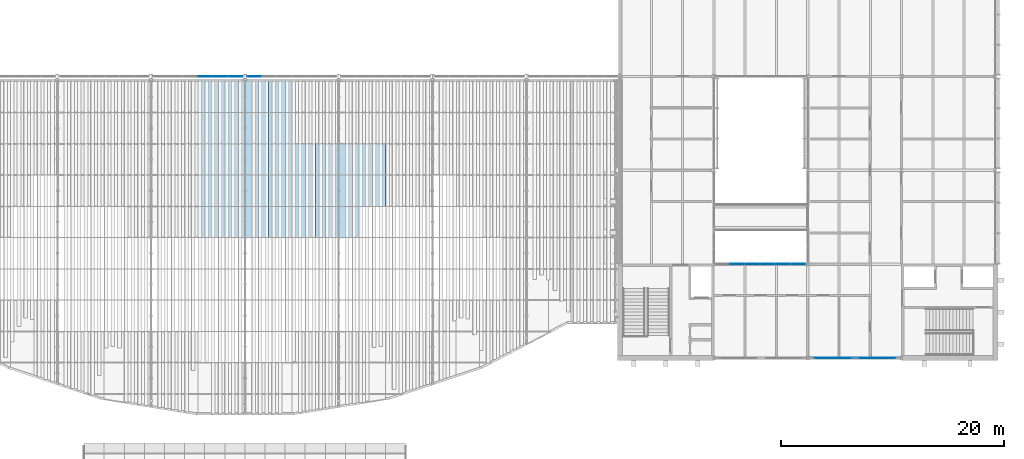
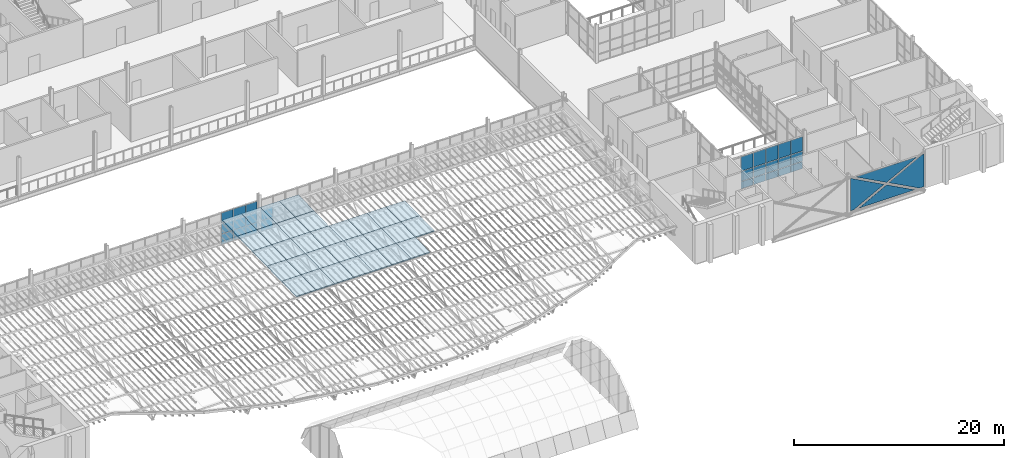
# One storey, part 72 of 129: 61 plates, 4 elements without a shape of their own.
"""IFC4 building model written with IfcOpenShell, lengths in metres."""

from ifc_helpers import new_model, si_unit, direction, frame, origin, origin_2d, place, context, subcontext, project, spatial, polyline, rectangle, outline, extrude, material, layer, layer_set, type_object, element, aggregate, save


model = new_model("IFC4")

# Units and contexts
model_context = context("Model", 3, precision=1e-05, world=origin(), true_north=direction((0.0, 1.0)))
body_context = subcontext(model_context, "Body", "Model", "MODEL_VIEW")
ifc_project = project(units=[si_unit("LENGTHUNIT", "METRE"), si_unit("AREAUNIT", "SQUARE_METRE"), si_unit("VOLUMEUNIT", "CUBIC_METRE"), si_unit("PLANEANGLEUNIT", "RADIAN"), si_unit("MASSUNIT", "GRAM", prefix="KILO")], contexts=[model_context])

# Site, building, storey
site_placement = place(None, origin())
site = spatial("IfcSite", under=ifc_project, at=site_placement, CompositionType="ELEMENT")
building_placement = place(site_placement, origin())
building = spatial("IfcBuilding", under=site, at=building_placement, Name="Ardhachandra Cancer Care Centre", CompositionType="ELEMENT")
storey_placement = place(building_placement, frame((0.0, 0.0, 4.5)))
storey = spatial("IfcBuildingStorey", under=building, at=storey_placement, Name="L01", CompositionType="ELEMENT", Elevation=4.5)

# Plates
ifc_material_1 = material(Name="Glass, laminated low-e insulating unit", Category="glass")
ifc_layer_1 = layer(ifc_material_1, 0.1201171875)
ifc_layer_set_1 = layer_set([ifc_layer_1], Name="Glass, laminated low-e insulating unit")
plate_type_1 = type_object("IfcPlateType", Name="Court glass cassette 120", PredefinedType="SHEET", material=ifc_layer_set_1)
plate_1_placement = place(storey_placement, frame((75.89990234375, 51.375, 3.007568359375), z_axis=(0.0, -0.019934189218, 0.999801294308), x_axis=(-1.0, 0.0, 0.0)))
element("IfcPlate", 1, at=plate_1_placement, inside=storey, type_object=plate_type_1, Name="Court glass cassette 4-1-3", PredefinedType="SHEET", context=body_context, shape_type="SweptSolid", body=[
    extrude(outline(polyline([(0.0, -3.00048828125), (2.099853515625, -3.00048828125), (2.099853515625, 0.0), (0.0, 0.0), (0.0, -3.00048828125)])), frame((0.0, 0.0, -0.1201171875)), (0.0, 0.0, 1.0), 0.1201171875),
])
plate_2_placement = place(storey_placement, frame((78.0, 51.375, 3.007568359375), z_axis=(0.0, -0.019934189218, 0.999801294308), x_axis=(-1.0, 0.0, 0.0)))
element("IfcPlate", 2, at=plate_2_placement, inside=storey, type_object=plate_type_1, Name="Court glass cassette 4-1-4", PredefinedType="SHEET", context=body_context, shape_type="SweptSolid", body=[
    extrude(outline(polyline([(0.0, -3.00048828125), (2.10009765625, -3.00048828125), (2.10009765625, 0.0), (0.0, 0.0), (0.0, -3.00048828125)])), frame((0.0, 0.0, -0.1201171875)), (0.0, 0.0, 1.0), 0.1201171875),
])
plate_3_placement = place(storey_placement, frame((73.800048828125, 48.574951171875, 2.951416015625), z_axis=(0.0, -0.02005002746, 0.999798977995), x_axis=(0.0, 0.999798977995, 0.02005002746)))
element("IfcPlate", 3, at=plate_3_placement, inside=storey, type_object=plate_type_1, Name="Court glass cassette 4-2-3", PredefinedType="SHEET", context=body_context, shape_type="SweptSolid", body=[
    extrude(outline(polyline([(0.0, -2.099853515625), (2.800537109375, -2.099853515625), (2.800537109375, 0.0), (0.0, 0.0), (0.0, -2.099853515625)])), frame((0.0, 0.0, -0.1201171875)), (0.0, 0.0, 1.0), 0.1201171875),
])
plate_4_placement = place(storey_placement, frame((75.89990234375, 48.574951171875, 2.951416015625), z_axis=(0.0, -0.02005002746, 0.999798977995), x_axis=(0.0, 0.999798977995, 0.02005002746)))
element("IfcPlate", 4, at=plate_4_placement, inside=storey, type_object=plate_type_1, Name="Court glass cassette 4-2-4", PredefinedType="SHEET", context=body_context, shape_type="SweptSolid", body=[
    extrude(outline(polyline([(0.0, -2.10009765625), (2.800537109375, -2.10009765625), (2.800537109375, 0.0), (0.0, 0.0), (0.0, -2.10009765625)])), frame((0.0, 0.0, -0.1201171875)), (0.0, 0.0, 1.0), 0.1201171875),
])
plate_5_placement = place(storey_placement, frame((73.800048828125, 45.77490234375, 2.8955078125), z_axis=(0.0, -0.019962888244, 0.999800721691), x_axis=(0.0, 0.999800721691, 0.019962888244)))
element("IfcPlate", 5, at=plate_5_placement, inside=storey, type_object=plate_type_1, Name="Court glass cassette 4-3-3", PredefinedType="SHEET", context=body_context, shape_type="SweptSolid", body=[
    extrude(outline(polyline([(0.0, -2.099853515625), (2.800537109375, -2.099853515625), (2.800537109375, 0.0), (0.0, 0.0), (0.0, -2.099853515625)])), frame((0.0, 0.0, -0.1201171875)), (0.0, 0.0, 1.0), 0.1201171875),
])
plate_6_placement = place(storey_placement, frame((75.89990234375, 45.77490234375, 2.8955078125), z_axis=(0.0, -0.019962888244, 0.999800721691), x_axis=(0.0, 0.999800721691, 0.019962888244)))
element("IfcPlate", 6, at=plate_6_placement, inside=storey, type_object=plate_type_1, Name="Court glass cassette 4-3-4", PredefinedType="SHEET", context=body_context, shape_type="SweptSolid", body=[
    extrude(outline(polyline([(0.0, -2.10009765625), (2.800537109375, -2.10009765625), (2.800537109375, 0.0), (0.0, 0.0), (0.0, -2.10009765625)])), frame((0.0, 0.0, -0.1201171875)), (0.0, 0.0, 1.0), 0.1201171875),
])
plate_7_placement = place(storey_placement, frame((73.800048828125, 42.97509765625, 2.839599609375), z_axis=(0.0, -0.019964628297, 0.999800686946), x_axis=(0.0, 0.999800686946, 0.019964628297)))
element("IfcPlate", 7, at=plate_7_placement, inside=storey, type_object=plate_type_1, Name="Court glass cassette 4-4-3", PredefinedType="SHEET", context=body_context, shape_type="SweptSolid", body=[
    extrude(outline(polyline([(0.0, -2.099853515625), (2.80029296875, -2.099853515625), (2.80029296875, 0.0), (0.0, 0.0), (0.0, -2.099853515625)])), frame((0.0, 0.0, -0.1201171875)), (0.0, 0.0, 1.0), 0.1201171875),
])
plate_8_placement = place(storey_placement, frame((75.89990234375, 42.97509765625, 2.839599609375), z_axis=(0.0, -0.019964628297, 0.999800686946), x_axis=(0.0, 0.999800686946, 0.019964628297)))
element("IfcPlate", 8, at=plate_8_placement, inside=storey, type_object=plate_type_1, Name="Court glass cassette 4-4-4", PredefinedType="SHEET", context=body_context, shape_type="SweptSolid", body=[
    extrude(outline(polyline([(0.0, -2.10009765625), (2.80029296875, -2.10009765625), (2.80029296875, 0.0), (0.0, 0.0), (0.0, -2.10009765625)])), frame((0.0, 0.0, -0.1201171875)), (0.0, 0.0, 1.0), 0.1201171875),
])
plate_9_placement = place(storey_placement, frame((73.800048828125, 40.175048828125, 2.783447265625), z_axis=(0.0, -0.02005002746, 0.999798977995), x_axis=(0.0, 0.999798977995, 0.02005002746)))
element("IfcPlate", 9, at=plate_9_placement, inside=storey, type_object=plate_type_1, Name="Court glass cassette 4-5-3", PredefinedType="SHEET", context=body_context, shape_type="SweptSolid", body=[
    extrude(outline(polyline([(0.0, -2.099853515625), (2.800537109375, -2.099853515625), (2.800537109375, 0.0), (0.0, 0.0), (0.0, -2.099853515625)])), frame((0.0, 0.0, -0.1201171875)), (0.0, 0.0, 1.0), 0.1201171875),
])
plate_10_placement = place(storey_placement, frame((75.89990234375, 40.175048828125, 2.783447265625), z_axis=(0.0, -0.02005002746, 0.999798977995), x_axis=(0.0, 0.999798977995, 0.02005002746)))
element("IfcPlate", 10, at=plate_10_placement, inside=storey, type_object=plate_type_1, Name="Court glass cassette 4-5-4", PredefinedType="SHEET", context=body_context, shape_type="SweptSolid", body=[
    extrude(outline(polyline([(0.0, -2.10009765625), (2.800537109375, -2.10009765625), (2.800537109375, 0.0), (0.0, 0.0), (0.0, -2.10009765625)])), frame((0.0, 0.0, -0.1201171875)), (0.0, 0.0, 1.0), 0.1201171875),
])
plate_11_placement = place(storey_placement, frame((80.10009765625, 51.375, 3.007568359375), z_axis=(0.0, -0.019934189218, 0.999801294308), x_axis=(-1.0, 0.0, 0.0)))
element("IfcPlate", 11, at=plate_11_placement, inside=storey, type_object=plate_type_1, Name="Court glass cassette 5-1-1", PredefinedType="SHEET", context=body_context, shape_type="SweptSolid", body=[
    extrude(outline(polyline([(0.0, -3.00048828125), (2.10009765625, -3.00048828125), (2.10009765625, 0.0), (0.0, 0.0), (0.0, -3.00048828125)])), frame((0.0, 0.0, -0.1201171875)), (0.0, 0.0, 1.0), 0.1201171875),
])
plate_12_placement = place(storey_placement, frame((82.199951171875, 51.375, 3.007568359375), z_axis=(0.0, -0.019934189218, 0.999801294308), x_axis=(-1.0, 0.0, 0.0)))
element("IfcPlate", 12, at=plate_12_placement, inside=storey, type_object=plate_type_1, Name="Court glass cassette 5-1-2", PredefinedType="SHEET", context=body_context, shape_type="SweptSolid", body=[
    extrude(outline(polyline([(0.0, -3.00048828125), (2.099853515625, -3.00048828125), (2.099853515625, 0.0), (0.0, 0.0), (0.0, -3.00048828125)])), frame((0.0, 0.0, -0.1201171875)), (0.0, 0.0, 1.0), 0.1201171875),
])
plate_13_placement = place(storey_placement, frame((78.0, 48.574951171875, 2.951416015625), z_axis=(0.0, -0.02005002746, 0.999798977995), x_axis=(0.0, 0.999798977995, 0.02005002746)))
element("IfcPlate", 13, at=plate_13_placement, inside=storey, type_object=plate_type_1, Name="Court glass cassette 5-2-1", PredefinedType="SHEET", context=body_context, shape_type="SweptSolid", body=[
    extrude(outline(polyline([(0.0, -2.10009765625), (2.800537109375, -2.10009765625), (2.800537109375, 0.0), (0.0, 0.0), (0.0, -2.10009765625)])), frame((0.0, 0.0, -0.1201171875)), (0.0, 0.0, 1.0), 0.1201171875),
])
plate_14_placement = place(storey_placement, frame((80.10009765625, 48.574951171875, 2.951416015625), z_axis=(0.0, -0.02005002746, 0.999798977995), x_axis=(0.0, 0.999798977995, 0.02005002746)))
element("IfcPlate", 14, at=plate_14_placement, inside=storey, type_object=plate_type_1, Name="Court glass cassette 5-2-2", PredefinedType="SHEET", context=body_context, shape_type="SweptSolid", body=[
    extrude(outline(polyline([(0.0, -2.099853515625), (2.800537109375, -2.099853515625), (2.800537109375, 0.0), (0.0, 0.0), (0.0, -2.099853515625)])), frame((0.0, 0.0, -0.1201171875)), (0.0, 0.0, 1.0), 0.1201171875),
])
plate_15_placement = place(storey_placement, frame((78.0, 45.77490234375, 2.8955078125), z_axis=(0.0, -0.019962888244, 0.999800721691), x_axis=(0.0, 0.999800721691, 0.019962888244)))
element("IfcPlate", 15, at=plate_15_placement, inside=storey, type_object=plate_type_1, Name="Court glass cassette 5-3-1", PredefinedType="SHEET", context=body_context, shape_type="SweptSolid", body=[
    extrude(outline(polyline([(0.0, -2.10009765625), (2.800537109375, -2.10009765625), (2.800537109375, 0.0), (0.0, 0.0), (0.0, -2.10009765625)])), frame((0.0, 0.0, -0.1201171875)), (0.0, 0.0, 1.0), 0.1201171875),
])
plate_16_placement = place(storey_placement, frame((80.10009765625, 45.77490234375, 2.8955078125), z_axis=(0.0, -0.019962888244, 0.999800721691), x_axis=(0.0, 0.999800721691, 0.019962888244)))
element("IfcPlate", 16, at=plate_16_placement, inside=storey, type_object=plate_type_1, Name="Court glass cassette 5-3-2", PredefinedType="SHEET", context=body_context, shape_type="SweptSolid", body=[
    extrude(outline(polyline([(0.0, -2.099853515625), (2.800537109375, -2.099853515625), (2.800537109375, 0.0), (0.0, 0.0), (0.0, -2.099853515625)])), frame((0.0, 0.0, -0.1201171875)), (0.0, 0.0, 1.0), 0.1201171875),
])
plate_17_placement = place(storey_placement, frame((82.199951171875, 45.77490234375, 2.8955078125), z_axis=(0.0, -0.019962888244, 0.999800721691), x_axis=(0.0, 0.999800721691, 0.019962888244)))
element("IfcPlate", 17, at=plate_17_placement, inside=storey, type_object=plate_type_1, Name="Court glass cassette 5-3-3", PredefinedType="SHEET", context=body_context, shape_type="SweptSolid", body=[
    extrude(outline(polyline([(0.0, -2.10009765625), (2.800537109375, -2.10009765625), (2.800537109375, 0.0), (0.0, 0.0), (0.0, -2.10009765625)])), frame((0.0, 0.0, -0.1201171875)), (0.0, 0.0, 1.0), 0.1201171875),
])
plate_18_placement = place(storey_placement, frame((84.300048828125, 45.77490234375, 2.8955078125), z_axis=(0.0, -0.019962888244, 0.999800721691), x_axis=(0.0, 0.999800721691, 0.019962888244)))
element("IfcPlate", 18, at=plate_18_placement, inside=storey, type_object=plate_type_1, Name="Court glass cassette 5-3-4", PredefinedType="SHEET", context=body_context, shape_type="SweptSolid", body=[
    extrude(outline(polyline([(0.0, -2.099853515625), (2.800537109375, -2.099853515625), (2.800537109375, 0.0), (0.0, 0.0), (0.0, -2.099853515625)])), frame((0.0, 0.0, -0.1201171875)), (0.0, 0.0, 1.0), 0.1201171875),
])
plate_19_placement = place(storey_placement, frame((78.0, 42.97509765625, 2.839599609375), z_axis=(0.0, -0.019964628297, 0.999800686946), x_axis=(0.0, 0.999800686946, 0.019964628297)))
element("IfcPlate", 19, at=plate_19_placement, inside=storey, type_object=plate_type_1, Name="Court glass cassette 5-4-1", PredefinedType="SHEET", context=body_context, shape_type="SweptSolid", body=[
    extrude(outline(polyline([(0.0, -2.10009765625), (2.80029296875, -2.10009765625), (2.80029296875, 0.0), (0.0, 0.0), (0.0, -2.10009765625)])), frame((0.0, 0.0, -0.1201171875)), (0.0, 0.0, 1.0), 0.1201171875),
])
plate_20_placement = place(storey_placement, frame((80.10009765625, 42.97509765625, 2.839599609375), z_axis=(0.0, -0.019964628297, 0.999800686946), x_axis=(0.0, 0.999800686946, 0.019964628297)))
element("IfcPlate", 20, at=plate_20_placement, inside=storey, type_object=plate_type_1, Name="Court glass cassette 5-4-2", PredefinedType="SHEET", context=body_context, shape_type="SweptSolid", body=[
    extrude(outline(polyline([(0.0, -2.099853515625), (2.80029296875, -2.099853515625), (2.80029296875, 0.0), (0.0, 0.0), (0.0, -2.099853515625)])), frame((0.0, 0.0, -0.1201171875)), (0.0, 0.0, 1.0), 0.1201171875),
])
plate_21_placement = place(storey_placement, frame((82.199951171875, 42.97509765625, 2.839599609375), z_axis=(0.0, -0.019964628297, 0.999800686946), x_axis=(0.0, 0.999800686946, 0.019964628297)))
element("IfcPlate", 21, at=plate_21_placement, inside=storey, type_object=plate_type_1, Name="Court glass cassette 5-4-3", PredefinedType="SHEET", context=body_context, shape_type="SweptSolid", body=[
    extrude(outline(polyline([(0.0, -2.10009765625), (2.80029296875, -2.10009765625), (2.80029296875, 0.0), (0.0, 0.0), (0.0, -2.10009765625)])), frame((0.0, 0.0, -0.1201171875)), (0.0, 0.0, 1.0), 0.1201171875),
])
plate_22_placement = place(storey_placement, frame((84.300048828125, 42.97509765625, 2.839599609375), z_axis=(0.0, -0.019964628297, 0.999800686946), x_axis=(0.0, 0.999800686946, 0.019964628297)))
element("IfcPlate", 22, at=plate_22_placement, inside=storey, type_object=plate_type_1, Name="Court glass cassette 5-4-4", PredefinedType="SHEET", context=body_context, shape_type="SweptSolid", body=[
    extrude(outline(polyline([(0.0, -2.099853515625), (2.80029296875, -2.099853515625), (2.80029296875, 0.0), (0.0, 0.0), (0.0, -2.099853515625)])), frame((0.0, 0.0, -0.1201171875)), (0.0, 0.0, 1.0), 0.1201171875),
])
plate_23_placement = place(storey_placement, frame((78.0, 40.175048828125, 2.783447265625), z_axis=(0.0, -0.02005002746, 0.999798977995), x_axis=(0.0, 0.999798977995, 0.02005002746)))
element("IfcPlate", 23, at=plate_23_placement, inside=storey, type_object=plate_type_1, Name="Court glass cassette 5-5-1", PredefinedType="SHEET", context=body_context, shape_type="SweptSolid", body=[
    extrude(outline(polyline([(0.0, -2.10009765625), (2.800537109375, -2.10009765625), (2.800537109375, 0.0), (0.0, 0.0), (0.0, -2.10009765625)])), frame((0.0, 0.0, -0.1201171875)), (0.0, 0.0, 1.0), 0.1201171875),
])
plate_24_placement = place(storey_placement, frame((80.10009765625, 40.175048828125, 2.783447265625), z_axis=(0.0, -0.02005002746, 0.999798977995), x_axis=(0.0, 0.999798977995, 0.02005002746)))
element("IfcPlate", 24, at=plate_24_placement, inside=storey, type_object=plate_type_1, Name="Court glass cassette 5-5-2", PredefinedType="SHEET", context=body_context, shape_type="SweptSolid", body=[
    extrude(outline(polyline([(0.0, -2.099853515625), (2.800537109375, -2.099853515625), (2.800537109375, 0.0), (0.0, 0.0), (0.0, -2.099853515625)])), frame((0.0, 0.0, -0.1201171875)), (0.0, 0.0, 1.0), 0.1201171875),
])
plate_25_placement = place(storey_placement, frame((82.199951171875, 40.175048828125, 2.783447265625), z_axis=(0.0, -0.02005002746, 0.999798977995), x_axis=(0.0, 0.999798977995, 0.02005002746)))
element("IfcPlate", 25, at=plate_25_placement, inside=storey, type_object=plate_type_1, Name="Court glass cassette 5-5-3", PredefinedType="SHEET", context=body_context, shape_type="SweptSolid", body=[
    extrude(outline(polyline([(0.0, -2.10009765625), (2.800537109375, -2.10009765625), (2.800537109375, 0.0), (0.0, 0.0), (0.0, -2.10009765625)])), frame((0.0, 0.0, -0.1201171875)), (0.0, 0.0, 1.0), 0.1201171875),
])
plate_26_placement = place(storey_placement, frame((84.300048828125, 40.175048828125, 2.783447265625), z_axis=(0.0, -0.02005002746, 0.999798977995), x_axis=(0.0, 0.999798977995, 0.02005002746)))
element("IfcPlate", 26, at=plate_26_placement, inside=storey, type_object=plate_type_1, Name="Court glass cassette 5-5-4", PredefinedType="SHEET", context=body_context, shape_type="SweptSolid", body=[
    extrude(outline(polyline([(0.0, -2.099853515625), (2.800537109375, -2.099853515625), (2.800537109375, 0.0), (0.0, 0.0), (0.0, -2.099853515625)])), frame((0.0, 0.0, -0.1201171875)), (0.0, 0.0, 1.0), 0.1201171875),
])
for number, where, z_axis, x_axis, name in (
    (27, (86.39990234375, 45.77490234375, 2.8955078125), (0.0, -0.019962888244, 0.999800721691), (0.0, 0.999800721691, 0.019962888244), "Court glass cassette 6-3-1"),
    (28, (88.5, 45.77490234375, 2.8955078125), (0.0, -0.019962888244, 0.999800721691), (0.0, 0.999800721691, 0.019962888244), "Court glass cassette 6-3-2"),
):
    element("IfcPlate", number, at=place(storey_placement, frame(where, z_axis=z_axis, x_axis=x_axis)), inside=storey, type_object=plate_type_1, Name=name, PredefinedType="SHEET", context=body_context, shape_type="SweptSolid", body=[
        extrude(outline(polyline([(0.0, -2.10009765625), (2.800537109375, -2.10009765625), (2.800537109375, 0.0), (0.0, 0.0), (0.0, -2.10009765625)])), frame((0.0, 0.0, -0.1201171875)), (0.0, 0.0, 1.0), 0.1201171875),
    ])
for number, where, z_axis, x_axis, name in (
    (29, (86.39990234375, 42.97509765625, 2.839599609375), (0.0, -0.019964628297, 0.999800686946), (0.0, 0.999800686946, 0.019964628297), "Court glass cassette 6-4-1"),
    (30, (88.5, 42.97509765625, 2.839599609375), (0.0, -0.019964628297, 0.999800686946), (0.0, 0.999800686946, 0.019964628297), "Court glass cassette 6-4-2"),
):
    element("IfcPlate", number, at=place(storey_placement, frame(where, z_axis=z_axis, x_axis=x_axis)), inside=storey, type_object=plate_type_1, Name=name, PredefinedType="SHEET", context=body_context, shape_type="SweptSolid", body=[
        extrude(outline(polyline([(0.0, -2.10009765625), (2.80029296875, -2.10009765625), (2.80029296875, 0.0), (0.0, 0.0), (0.0, -2.10009765625)])), frame((0.0, 0.0, -0.1201171875)), (0.0, 0.0, 1.0), 0.1201171875),
    ])
plate_27_placement = place(storey_placement, frame((86.39990234375, 40.175048828125, 2.783447265625), z_axis=(0.0, -0.02005002746, 0.999798977995), x_axis=(0.0, 0.999798977995, 0.02005002746)))
element("IfcPlate", 31, at=plate_27_placement, inside=storey, type_object=plate_type_1, Name="Court glass cassette 6-5-1", PredefinedType="SHEET", context=body_context, shape_type="SweptSolid", body=[
    extrude(outline(polyline([(0.0, -2.10009765625), (2.800537109375, -2.10009765625), (2.800537109375, 0.0), (0.0, 0.0), (0.0, -2.10009765625)])), frame((0.0, 0.0, -0.1201171875)), (0.0, 0.0, 1.0), 0.1201171875),
])

# Curtain wall, plates
ifc_material_2 = material(Name="Aluminium extrusion", Category="aluminium")
ifc_layer_2 = layer(ifc_material_2, 0.14990234375)
ifc_layer_set_2 = layer_set([ifc_layer_2], Name="Aluminium extrusion")
curtain_wall_type = type_object("IfcCurtainWallType", Name="Curtain wall run", PredefinedType="NOTDEFINED", material=ifc_layer_set_2)
curtain_wall_1_placement = place(storey_placement, origin())
curtain_wall_1 = element("IfcCurtainWall", 32, at=curtain_wall_1_placement, inside=storey, type_object=curtain_wall_type, Name="Curtain wall L01 n/0120000_0037800", PredefinedType="NOTDEFINED")
ifc_material_3 = material(Name="Low-iron double-glazed unit")
ifc_layer_3 = layer(ifc_material_3, 0.028076171875)
ifc_layer_set_3 = layer_set([ifc_layer_3], Name="Low-iron double-glazed unit")
plate_type_2 = type_object("IfcPlateType", Name="Curtain wall glazing 28", PredefinedType="CURTAIN_PANEL", material=ifc_layer_set_3)
plate_28_placement = place(storey_placement, frame((122.0625, 37.800048828125, 0.93017578125), z_axis=(0.0, 0.0, 1.0), x_axis=(1.0, 0.0, 0.0)))
plate_28 = element("IfcPlate", 33, at=plate_28_placement, type_object=plate_type_2, Name="CW panel 2.2", PredefinedType="CURTAIN_PANEL", context=body_context, shape_type="SweptSolid", body=[
    extrude(rectangle(XDim=1.31494140625, YDim=0.028076171875, at=origin_2d()), origin(), (0.0, 0.0, 1.0), 1.139892578125),
])
plate_29_placement = place(storey_placement, frame((122.0625, 37.800048828125, 2.1298828125), z_axis=(0.0, 0.0, 1.0), x_axis=(1.0, 0.0, 0.0)))
plate_29 = element("IfcPlate", 34, at=plate_29_placement, type_object=plate_type_2, Name="CW panel 2.3", PredefinedType="CURTAIN_PANEL", context=body_context, shape_type="SweptSolid", body=[
    extrude(rectangle(XDim=1.31494140625, YDim=0.028076171875, at=origin_2d()), origin(), (0.0, 0.0, 1.0), 1.659912109375),
])
plate_30_placement = place(storey_placement, frame((123.4375, 37.800048828125, 0.93017578125), z_axis=(0.0, 0.0, 1.0), x_axis=(1.0, 0.0, 0.0)))
plate_30 = element("IfcPlate", 35, at=plate_30_placement, type_object=plate_type_2, Name="CW panel 3.2", PredefinedType="CURTAIN_PANEL", context=body_context, shape_type="SweptSolid", body=[
    extrude(rectangle(XDim=1.31494140625, YDim=0.028076171875, at=origin_2d()), origin(), (0.0, 0.0, 1.0), 1.139892578125),
])
plate_31_placement = place(storey_placement, frame((123.4375, 37.800048828125, 2.1298828125), z_axis=(0.0, 0.0, 1.0), x_axis=(1.0, 0.0, 0.0)))
plate_31 = element("IfcPlate", 36, at=plate_31_placement, type_object=plate_type_2, Name="CW panel 3.3", PredefinedType="CURTAIN_PANEL", context=body_context, shape_type="SweptSolid", body=[
    extrude(rectangle(XDim=1.31494140625, YDim=0.028076171875, at=origin_2d()), origin(), (0.0, 0.0, 1.0), 1.659912109375),
])
plate_32_placement = place(storey_placement, frame((124.8125, 37.800048828125, 0.93017578125), z_axis=(0.0, 0.0, 1.0), x_axis=(1.0, 0.0, 0.0)))
plate_32 = element("IfcPlate", 37, at=plate_32_placement, type_object=plate_type_2, Name="CW panel 4.2", PredefinedType="CURTAIN_PANEL", context=body_context, shape_type="SweptSolid", body=[
    extrude(rectangle(XDim=1.31494140625, YDim=0.028076171875, at=origin_2d()), origin(), (0.0, 0.0, 1.0), 1.139892578125),
])
plate_33_placement = place(storey_placement, frame((124.8125, 37.800048828125, 2.1298828125), z_axis=(0.0, 0.0, 1.0), x_axis=(1.0, 0.0, 0.0)))
plate_33 = element("IfcPlate", 38, at=plate_33_placement, type_object=plate_type_2, Name="CW panel 4.3", PredefinedType="CURTAIN_PANEL", context=body_context, shape_type="SweptSolid", body=[
    extrude(rectangle(XDim=1.31494140625, YDim=0.028076171875, at=origin_2d()), origin(), (0.0, 0.0, 1.0), 1.659912109375),
])
plate_34_placement = place(storey_placement, frame((126.1875, 37.800048828125, 0.93017578125), z_axis=(0.0, 0.0, 1.0), x_axis=(1.0, 0.0, 0.0)))
plate_34 = element("IfcPlate", 39, at=plate_34_placement, type_object=plate_type_2, Name="CW panel 5.2", PredefinedType="CURTAIN_PANEL", context=body_context, shape_type="SweptSolid", body=[
    extrude(rectangle(XDim=1.31494140625, YDim=0.028076171875, at=origin_2d()), origin(), (0.0, 0.0, 1.0), 1.139892578125),
])
plate_35_placement = place(storey_placement, frame((126.1875, 37.800048828125, 2.1298828125), z_axis=(0.0, 0.0, 1.0), x_axis=(1.0, 0.0, 0.0)))
plate_35 = element("IfcPlate", 40, at=plate_35_placement, type_object=plate_type_2, Name="CW panel 5.3", PredefinedType="CURTAIN_PANEL", context=body_context, shape_type="SweptSolid", body=[
    extrude(rectangle(XDim=1.31494140625, YDim=0.028076171875, at=origin_2d()), origin(), (0.0, 0.0, 1.0), 1.659912109375),
])
plate_36_placement = place(storey_placement, frame((127.547607421875, 37.800048828125, 0.93017578125), z_axis=(0.0, 0.0, 1.0), x_axis=(1.0, 0.0, 0.0)))
plate_36 = element("IfcPlate", 41, at=plate_36_placement, type_object=plate_type_2, Name="CW panel 6.2", PredefinedType="CURTAIN_PANEL", context=body_context, shape_type="SweptSolid", body=[
    extrude(rectangle(XDim=1.284912109375, YDim=0.028076171875, at=origin_2d()), origin(), (0.0, 0.0, 1.0), 1.139892578125),
])
plate_37_placement = place(storey_placement, frame((127.547607421875, 37.800048828125, 2.1298828125), z_axis=(0.0, 0.0, 1.0), x_axis=(1.0, 0.0, 0.0)))
plate_37 = element("IfcPlate", 42, at=plate_37_placement, type_object=plate_type_2, Name="CW panel 6.3", PredefinedType="CURTAIN_PANEL", context=body_context, shape_type="SweptSolid", body=[
    extrude(rectangle(XDim=1.284912109375, YDim=0.028076171875, at=origin_2d()), origin(), (0.0, 0.0, 1.0), 1.659912109375),
])

curtain_wall_2_placement = place(storey_placement, origin())
curtain_wall_2 = element("IfcCurtainWall", 43, at=curtain_wall_2_placement, inside=storey, type_object=curtain_wall_type, Name="Curtain wall L01 s/0128400_0029400", PredefinedType="NOTDEFINED")
plate_38_placement = place(storey_placement, frame((136.739990234375, 29.39990234375, 3.825927734375), z_axis=(0.0, 1.0, 0.0), x_axis=(0.0, 0.0, -1.0)))
plate_38 = element("IfcPlate", 44, at=plate_38_placement, type_object=plate_type_2, Name="CW panel 1.1", PredefinedType="CURTAIN_PANEL", context=body_context, shape_type="SweptSolid", body=[
    extrude(outline(polyline([(0.0, 0.0), (3.765869140625, 0.0), (3.765869140625, 0.53515625), (1.967041015625, 3.8798828125), (0.0, 0.22265625), (0.0, 0.0)])), origin(), (0.0, 0.0, 1.0), 0.028076171875),
])
plate_39_placement = place(storey_placement, frame((135.996826171875, 29.39990234375, 3.825927734375), z_axis=(0.0, 1.0, 0.0), x_axis=(-0.880698647612, 0.0, -0.473676991309)))
plate_39 = element("IfcPlate", 45, at=plate_39_placement, type_object=plate_type_2, Name="CW panel 1.1", PredefinedType="CURTAIN_PANEL", context=body_context, shape_type="SweptSolid", body=[
    extrude(outline(polyline([(0.0, 0.0), (3.85693359375, 0.0), (5.983154296875, 3.218017578125), (0.0, 0.0)])), frame((0.0, 0.0, -0.028076171875)), (0.0, 0.0, 1.0), 0.028076171875),
])
plate_40_placement = place(storey_placement, frame((128.610107421875, 29.39990234375, 0.06005859375), z_axis=(0.0, 1.0, 0.0), x_axis=(0.0, 0.0, 1.0)))
plate_40 = element("IfcPlate", 46, at=plate_40_placement, type_object=plate_type_2, Name="CW panel 1.1", PredefinedType="CURTAIN_PANEL", context=body_context, shape_type="SweptSolid", body=[
    extrude(outline(polyline([(0.0, 0.0), (3.765869140625, 0.0), (3.765869140625, 0.072509765625), (1.798828125, 3.729736328125), (0.0, 0.385009765625), (0.0, 0.0)])), origin(), (0.0, 0.0, 1.0), 0.028076171875),
])
plate_41_placement = place(storey_placement, frame((129.515380859375, 29.39990234375, 0.06005859375), z_axis=(0.0, 1.0, 0.0), x_axis=(0.880717185398, 0.0, 0.473642522737)))
plate_41 = element("IfcPlate", 47, at=plate_41_placement, type_object=plate_type_2, Name="CW panel 1.1", PredefinedType="CURTAIN_PANEL", context=body_context, shape_type="SweptSolid", body=[
    extrude(outline(polyline([(0.0, 0.0), (3.50244140625, 0.0), (5.433349609375, 2.921875), (0.0, 0.0)])), frame((0.0, 0.0, -0.028076171875)), (0.0, 0.0, 1.0), 0.028076171875),
])
aggregate(curtain_wall_2, [plate_38, plate_39, plate_40, plate_41])

curtain_wall_3_placement = place(storey_placement, origin())
curtain_wall_3 = element("IfcCurtainWall", 48, at=curtain_wall_3_placement, inside=storey, type_object=curtain_wall_type, Name="Curtain wall L01 s/0069600_0054600", PredefinedType="NOTDEFINED")
plate_42_placement = place(storey_placement, frame((74.47509765625, 54.60009765625, 0.06005859375), z_axis=(0.0, 0.0, 1.0), x_axis=(1.0, 0.0, 0.0)))
plate_42 = element("IfcPlate", 49, at=plate_42_placement, type_object=plate_type_2, Name="CW panel 4.1", PredefinedType="CURTAIN_PANEL", context=body_context, shape_type="SweptSolid", body=[
    extrude(rectangle(XDim=1.2900390625, YDim=0.028076171875, at=origin_2d()), origin(), (0.0, 0.0, 1.0), 1.170166015625),
])
plate_43_placement = place(storey_placement, frame((74.47509765625, 54.60009765625, 1.2900390625), z_axis=(0.0, 0.0, 1.0), x_axis=(1.0, 0.0, 0.0)))
plate_43 = element("IfcPlate", 50, at=plate_43_placement, type_object=plate_type_2, Name="CW panel 4.2", PredefinedType="CURTAIN_PANEL", context=body_context, shape_type="SweptSolid", body=[
    extrude(rectangle(XDim=1.2900390625, YDim=0.028076171875, at=origin_2d()), origin(), (0.0, 0.0, 1.0), 1.2001953125),
])
plate_44_placement = place(storey_placement, frame((74.47509765625, 54.60009765625, 2.55029296875), z_axis=(0.0, 0.0, 1.0), x_axis=(1.0, 0.0, 0.0)))
plate_44 = element("IfcPlate", 51, at=plate_44_placement, type_object=plate_type_2, Name="CW panel 4.3", PredefinedType="CURTAIN_PANEL", context=body_context, shape_type="SweptSolid", body=[
    extrude(rectangle(XDim=1.2900390625, YDim=0.028076171875, at=origin_2d()), origin(), (0.0, 0.0, 1.0), 1.170166015625),
])
plate_45_placement = place(storey_placement, frame((75.824951171875, 54.60009765625, 0.06005859375), z_axis=(0.0, 0.0, 1.0), x_axis=(1.0, 0.0, 0.0)))
plate_45 = element("IfcPlate", 52, at=plate_45_placement, type_object=plate_type_2, Name="CW panel 5.1", PredefinedType="CURTAIN_PANEL", context=body_context, shape_type="SweptSolid", body=[
    extrude(rectangle(XDim=1.2900390625, YDim=0.028076171875, at=origin_2d()), origin(), (0.0, 0.0, 1.0), 1.170166015625),
])
plate_46_placement = place(storey_placement, frame((75.824951171875, 54.60009765625, 1.2900390625), z_axis=(0.0, 0.0, 1.0), x_axis=(1.0, 0.0, 0.0)))
plate_46 = element("IfcPlate", 53, at=plate_46_placement, type_object=plate_type_2, Name="CW panel 5.2", PredefinedType="CURTAIN_PANEL", context=body_context, shape_type="SweptSolid", body=[
    extrude(rectangle(XDim=1.2900390625, YDim=0.028076171875, at=origin_2d()), origin(), (0.0, 0.0, 1.0), 1.2001953125),
])
plate_47_placement = place(storey_placement, frame((75.824951171875, 54.60009765625, 2.55029296875), z_axis=(0.0, 0.0, 1.0), x_axis=(1.0, 0.0, 0.0)))
plate_47 = element("IfcPlate", 54, at=plate_47_placement, type_object=plate_type_2, Name="CW panel 5.3", PredefinedType="CURTAIN_PANEL", context=body_context, shape_type="SweptSolid", body=[
    extrude(rectangle(XDim=1.2900390625, YDim=0.028076171875, at=origin_2d()), origin(), (0.0, 0.0, 1.0), 1.170166015625),
])
plate_48_placement = place(storey_placement, frame((77.159912109375, 54.60009765625, 0.06005859375), z_axis=(0.0, 0.0, 1.0), x_axis=(1.0, 0.0, 0.0)))
plate_48 = element("IfcPlate", 55, at=plate_48_placement, type_object=plate_type_2, Name="CW panel 6.1", PredefinedType="CURTAIN_PANEL", context=body_context, shape_type="SweptSolid", body=[
    extrude(rectangle(XDim=1.260009765625, YDim=0.028076171875, at=origin_2d()), origin(), (0.0, 0.0, 1.0), 1.170166015625),
])
plate_49_placement = place(storey_placement, frame((77.159912109375, 54.60009765625, 1.2900390625), z_axis=(0.0, 0.0, 1.0), x_axis=(1.0, 0.0, 0.0)))
plate_49 = element("IfcPlate", 56, at=plate_49_placement, type_object=plate_type_2, Name="CW panel 6.2", PredefinedType="CURTAIN_PANEL", context=body_context, shape_type="SweptSolid", body=[
    extrude(rectangle(XDim=1.260009765625, YDim=0.028076171875, at=origin_2d()), origin(), (0.0, 0.0, 1.0), 1.2001953125),
])
plate_50_placement = place(storey_placement, frame((77.159912109375, 54.60009765625, 2.55029296875), z_axis=(0.0, 0.0, 1.0), x_axis=(1.0, 0.0, 0.0)))
plate_50 = element("IfcPlate", 57, at=plate_50_placement, type_object=plate_type_2, Name="CW panel 6.3", PredefinedType="CURTAIN_PANEL", context=body_context, shape_type="SweptSolid", body=[
    extrude(rectangle(XDim=1.260009765625, YDim=0.028076171875, at=origin_2d()), origin(), (0.0, 0.0, 1.0), 1.170166015625),
])
aggregate(curtain_wall_3, [plate_42, plate_43, plate_44, plate_45, plate_46, plate_47, plate_48, plate_49, plate_50])

curtain_wall_4_placement = place(storey_placement, origin())
curtain_wall_4 = element("IfcCurtainWall", 58, at=curtain_wall_4_placement, inside=storey, type_object=curtain_wall_type, Name="Curtain wall L01 s/0078000_0054600", PredefinedType="NOTDEFINED")
plate_51_placement = place(storey_placement, frame((78.840087890625, 54.60009765625, 0.06005859375), z_axis=(0.0, 0.0, 1.0), x_axis=(1.0, 0.0, 0.0)))
plate_51 = element("IfcPlate", 59, at=plate_51_placement, type_object=plate_type_2, Name="CW panel 1.1", PredefinedType="CURTAIN_PANEL", context=body_context, shape_type="SweptSolid", body=[
    extrude(rectangle(XDim=1.260009765625, YDim=0.028076171875, at=origin_2d()), origin(), (0.0, 0.0, 1.0), 1.170166015625),
])
plate_52_placement = place(storey_placement, frame((78.840087890625, 54.60009765625, 1.2900390625), z_axis=(0.0, 0.0, 1.0), x_axis=(1.0, 0.0, 0.0)))
plate_52 = element("IfcPlate", 60, at=plate_52_placement, type_object=plate_type_2, Name="CW panel 1.2", PredefinedType="CURTAIN_PANEL", context=body_context, shape_type="SweptSolid", body=[
    extrude(rectangle(XDim=1.260009765625, YDim=0.028076171875, at=origin_2d()), origin(), (0.0, 0.0, 1.0), 1.2001953125),
])
aggregate(curtain_wall_4, [plate_51, plate_52])

# Plate
ifc_material_4 = material(Name="Aluminium composite spandrel panel", Category="aluminium")
ifc_layer_4 = layer(ifc_material_4, 0.028076171875)
ifc_layer_set_4 = layer_set([ifc_layer_4], Name="Aluminium composite spandrel panel")
plate_type_3 = type_object("IfcPlateType", Name="Curtain wall spandrel panel 28", PredefinedType="CURTAIN_PANEL", material=ifc_layer_set_4)
plate_53_placement = place(storey_placement, frame((122.0625, 37.800048828125, 0.06005859375), z_axis=(0.0, 0.0, 1.0), x_axis=(1.0, 0.0, 0.0)))
plate_53 = element("IfcPlate", 61, at=plate_53_placement, type_object=plate_type_3, Name="CW panel 2.1", PredefinedType="CURTAIN_PANEL", context=body_context, shape_type="SweptSolid", body=[
    extrude(rectangle(XDim=1.31494140625, YDim=0.028076171875, at=origin_2d()), origin(), (0.0, 0.0, 1.0), 0.81005859375),
])

plate_54_placement = place(storey_placement, frame((123.4375, 37.800048828125, 0.06005859375), z_axis=(0.0, 0.0, 1.0), x_axis=(1.0, 0.0, 0.0)))
plate_54 = element("IfcPlate", 62, at=plate_54_placement, type_object=plate_type_3, Name="CW panel 3.1", PredefinedType="CURTAIN_PANEL", context=body_context, shape_type="SweptSolid", body=[
    extrude(rectangle(XDim=1.31494140625, YDim=0.028076171875, at=origin_2d()), origin(), (0.0, 0.0, 1.0), 0.81005859375),
])

plate_55_placement = place(storey_placement, frame((124.8125, 37.800048828125, 0.06005859375), z_axis=(0.0, 0.0, 1.0), x_axis=(1.0, 0.0, 0.0)))
plate_55 = element("IfcPlate", 63, at=plate_55_placement, type_object=plate_type_3, Name="CW panel 4.1", PredefinedType="CURTAIN_PANEL", context=body_context, shape_type="SweptSolid", body=[
    extrude(rectangle(XDim=1.31494140625, YDim=0.028076171875, at=origin_2d()), origin(), (0.0, 0.0, 1.0), 0.81005859375),
])

plate_56_placement = place(storey_placement, frame((126.1875, 37.800048828125, 0.06005859375), z_axis=(0.0, 0.0, 1.0), x_axis=(1.0, 0.0, 0.0)))
plate_56 = element("IfcPlate", 64, at=plate_56_placement, type_object=plate_type_3, Name="CW panel 5.1", PredefinedType="CURTAIN_PANEL", context=body_context, shape_type="SweptSolid", body=[
    extrude(rectangle(XDim=1.31494140625, YDim=0.028076171875, at=origin_2d()), origin(), (0.0, 0.0, 1.0), 0.81005859375),
])

plate_57_placement = place(storey_placement, frame((127.547607421875, 37.800048828125, 0.06005859375), z_axis=(0.0, 0.0, 1.0), x_axis=(1.0, 0.0, 0.0)))
plate_57 = element("IfcPlate", 65, at=plate_57_placement, type_object=plate_type_3, Name="CW panel 6.1", PredefinedType="CURTAIN_PANEL", context=body_context, shape_type="SweptSolid", body=[
    extrude(rectangle(XDim=1.284912109375, YDim=0.028076171875, at=origin_2d()), origin(), (0.0, 0.0, 1.0), 0.81005859375),
])

aggregate(curtain_wall_1, [plate_53, plate_28, plate_29, plate_54, plate_30, plate_31, plate_55, plate_32, plate_33, plate_56, plate_34, plate_35, plate_57, plate_36, plate_37])

save(model, "model.ifc")
